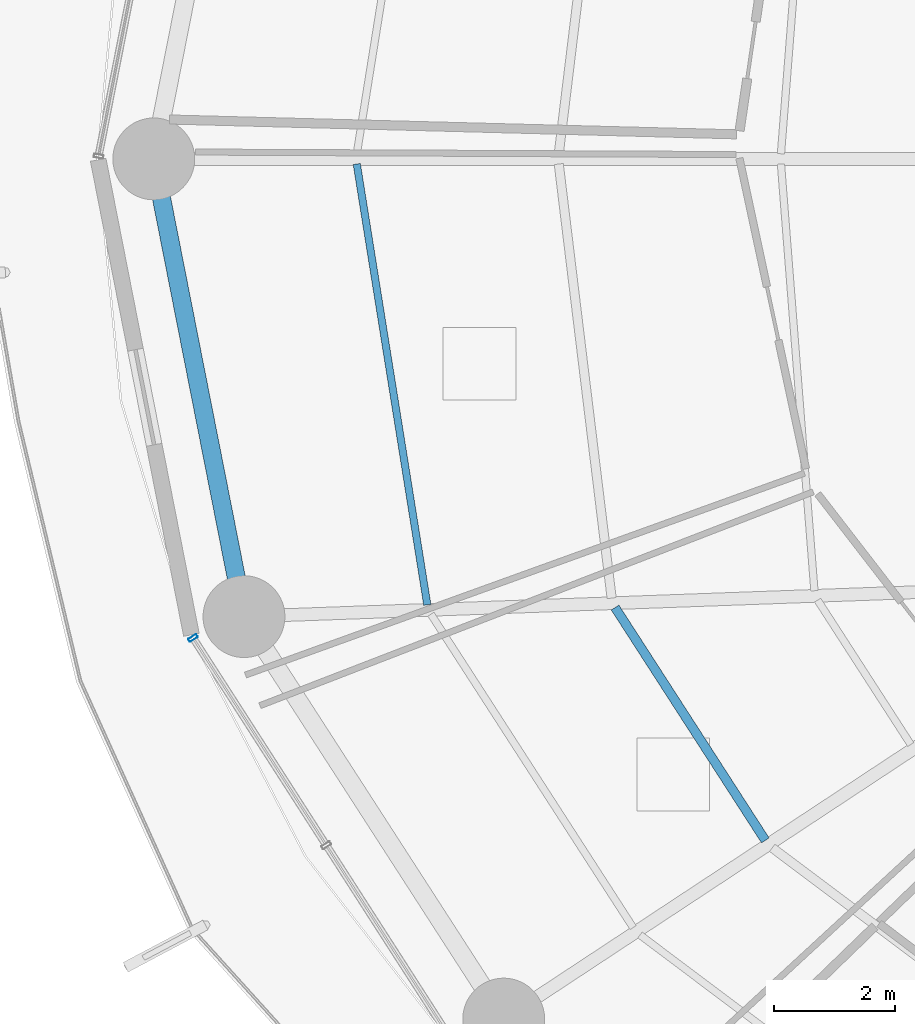
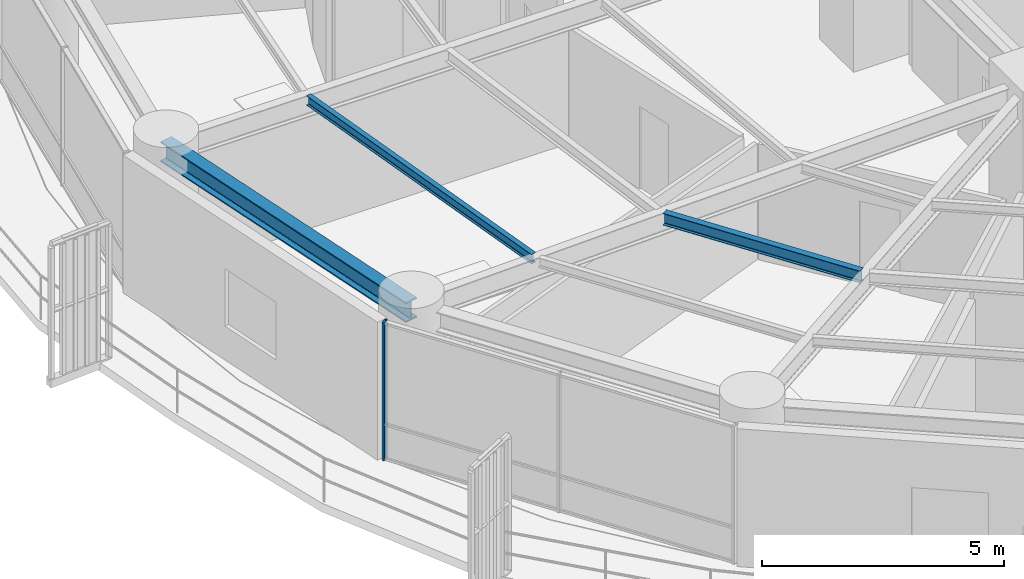
# One storey, part 4 of 34: 3 beams, 1 member, 1 element without a shape of its own.
"""IFC4 building model written with IfcOpenShell, lengths in metres."""

from ifc_helpers import new_model, si_unit, direction, frame, origin, origin_2d, place, context, subcontext, project, spatial, hollow_rectangle, i_section, extrude, material, layer, layer_set, material_profile, profile_set, type_object, element, aggregate, save


model = new_model("IFC4")

# Units and contexts
model_context = context("Model", 3, precision=1e-05, world=origin(), true_north=direction((0.0, 1.0)))
body_context = subcontext(model_context, "Body", "Model", "MODEL_VIEW")
ifc_project = project(units=[si_unit("LENGTHUNIT", "METRE"), si_unit("AREAUNIT", "SQUARE_METRE"), si_unit("VOLUMEUNIT", "CUBIC_METRE"), si_unit("PLANEANGLEUNIT", "RADIAN"), si_unit("MASSUNIT", "GRAM", prefix="KILO")], contexts=[model_context])

# Site, building, storey
site_placement = place(None, origin())
site = spatial("IfcSite", under=ifc_project, at=site_placement, CompositionType="ELEMENT")
building_placement = place(site_placement, origin())
building = spatial("IfcBuilding", under=site, at=building_placement, Name="Kelanora Arch Commons", CompositionType="ELEMENT")
storey_placement = place(building_placement, frame((0.0, 0.0, 76.35009765625)))
storey = spatial("IfcBuildingStorey", under=building, at=storey_placement, Name="L19", CompositionType="ELEMENT", Elevation=76.35009765625)

# Beams
ifc_material_1 = material(Name="Steel S355", Category="steel")
ifc_material_profile_1 = material_profile(ifc_material_1, i_section(OverallWidth=0.14990234375, OverallDepth=0.300048828125, WebThickness=0.007080078125, FlangeThickness=0.0107421875, FilletRadius=0.014892578125, at=origin_2d()), Name="IPE300")
ifc_profile_set_1 = profile_set([ifc_material_profile_1], Name="Steel S355")
beam_type_1 = type_object("IfcBeamType", Name="BM-JST-01", PredefinedType="JOIST", material=ifc_profile_set_1)
beam_1_placement = place(storey_placement, frame((56.93115234375, 50.597412109375, 3.33984375), z_axis=(0.542230243286, -0.840229946661, 0.0), x_axis=(0.840229946661, 0.542230243286, 0.0)))
element("IfcBeam", 1, at=beam_1_placement, inside=storey, type_object=beam_type_1, Name="Secondary Chord Joist BJB-20 L19", PredefinedType="JOIST", context=body_context, shape_type="SweptSolid", body=[
    extrude(i_section(OverallWidth=0.14990234375, OverallDepth=0.300048828125, WebThickness=0.007080078125, FlangeThickness=0.0107421875, FilletRadius=0.014892578125, at=origin_2d()), origin(), (0.0, 0.0, 1.0), 4.572265625),
])
ifc_material_profile_2 = material_profile(ifc_material_1, i_section(OverallWidth=0.1201171875, OverallDepth=0.239990234375, WebThickness=0.006103515625, FlangeThickness=0.009765625, FilletRadius=0.014892578125, at=origin_2d()), Name="IPE240")
ifc_profile_set_2 = profile_set([ifc_material_profile_2], Name="Steel S355")
beam_type_2 = type_object("IfcBeamType", Name="BM-JST-02", PredefinedType="JOIST", material=ifc_profile_set_2)
beam_2_placement = place(storey_placement, frame((52.66943359375, 57.916015625, 3.369873046875), z_axis=(0.157999549894, -0.987439184068, 0.0), x_axis=(0.987439184068, 0.157999549894, 0.0)))
element("IfcBeam", 2, at=beam_2_placement, inside=storey, type_object=beam_type_2, Name="Secondary Chord Joist BJC-18 L19", PredefinedType="JOIST", context=body_context, shape_type="SweptSolid", body=[
    extrude(i_section(OverallWidth=0.1201171875, OverallDepth=0.239990234375, WebThickness=0.006103515625, FlangeThickness=0.009765625, FilletRadius=0.014892578125, at=origin_2d()), origin(), (0.0, 0.0, 1.0), 7.365966796875),
])
ifc_material_profile_3 = material_profile(ifc_material_1, i_section(OverallWidth=0.300048828125, OverallDepth=0.5, WebThickness=0.014404296875, FlangeThickness=0.028076171875, FilletRadius=0.027099609375, at=origin_2d()), Name="HEB500")
ifc_profile_set_3 = profile_set([ifc_material_profile_3], Name="Steel S355")
beam_type_3 = type_object("IfcBeamType", Name="BM-SPN-Z2", PredefinedType="SPANDREL", material=ifc_profile_set_3)
beam_3_placement = place(storey_placement, frame((49.320068359375, 58.0, 3.239990234375), z_axis=(0.19335825777, -0.981128220037, 0.0), x_axis=(0.981128220037, 0.19335825777, 0.0)))
element("IfcBeam", 3, at=beam_3_placement, inside=storey, type_object=beam_type_3, Name="Perimeter Spandrel Beam BS-18 L19", PredefinedType="SPANDREL", context=body_context, shape_type="SweptSolid", body=[
    extrude(i_section(OverallWidth=0.300048828125, OverallDepth=0.5, WebThickness=0.014404296875, FlangeThickness=0.028076171875, FilletRadius=0.027099609375, at=origin_2d()), origin(), (0.0, 0.0, 1.0), 7.697021484375),
])

# Curtain wall, member
ifc_material_2 = material(Name="Terracotta ceramic-fritted low-E glass and aluminium", Category="masonry")
ifc_layer = layer(ifc_material_2, 0.159912109375)
ifc_layer_set = layer_set([ifc_layer], Name="Terracotta ceramic-fritted low-E glass and aluminium")
curtain_wall_type = type_object("IfcCurtainWallType", Name="CW-SYS-01", PredefinedType="NOTDEFINED", material=ifc_layer_set)
curtain_wall_placement = place(storey_placement, origin())
curtain_wall = element("IfcCurtainWall", 4, at=curtain_wall_placement, inside=storey, type_object=curtain_wall_type, Name="Unitised Curtain Wall L19-B10", PredefinedType="NOTDEFINED")
ifc_material_3 = material(Name="Powder-coated aluminium terracotta", Category="masonry")
ifc_material_profile_4 = material_profile(ifc_material_3, hollow_rectangle(XDim=0.159912109375, YDim=0.06005859375, WallThickness=0.0048828125, InnerFilletRadius=0.0048828125, OuterFilletRadius=0.010009765625, at=origin_2d()), Name="CWM160x60")
ifc_profile_set_4 = profile_set([ifc_material_profile_4], Name="Powder-coated aluminium terracotta")
member_type = type_object("IfcMemberType", Name="CWM-STD", PredefinedType="MULLION", material=ifc_profile_set_4)
member_placement = place(storey_placement, frame((49.96826171875, 50.095703125, 0.0), z_axis=(0.0, 0.0, 1.0), x_axis=(0.841268883088, 0.540616931244, 0.0)))
member = element("IfcMember", 5, at=member_placement, type_object=member_type, Name="CW-01 mullion 1", PredefinedType="MULLION", context=body_context, shape_type="SweptSolid", body=[
    extrude(hollow_rectangle(XDim=0.159912109375, YDim=0.06005859375, WallThickness=0.0048828125, InnerFilletRadius=0.0048828125, OuterFilletRadius=0.010009765625, at=origin_2d()), origin(), (0.0, 0.0, 1.0), 3.474853515625),
])
aggregate(curtain_wall, [member])

save(model, "model.ifc")
